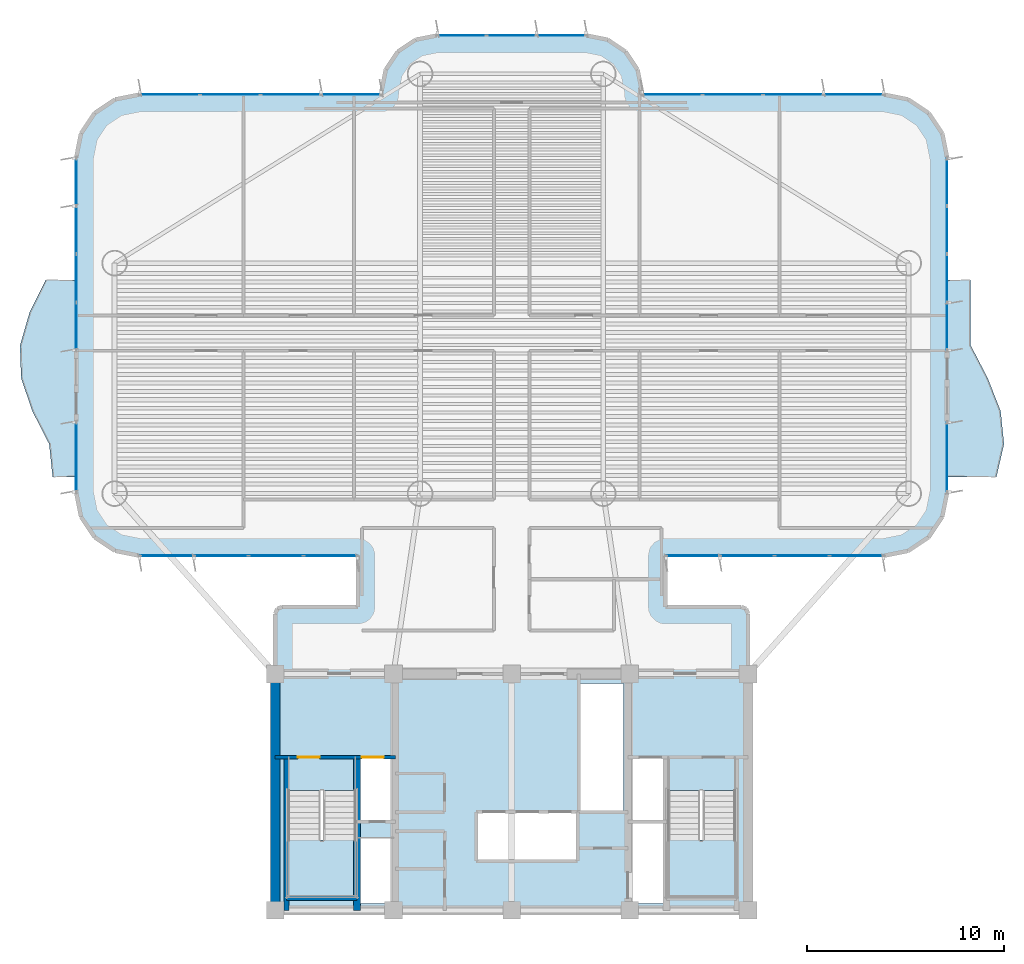
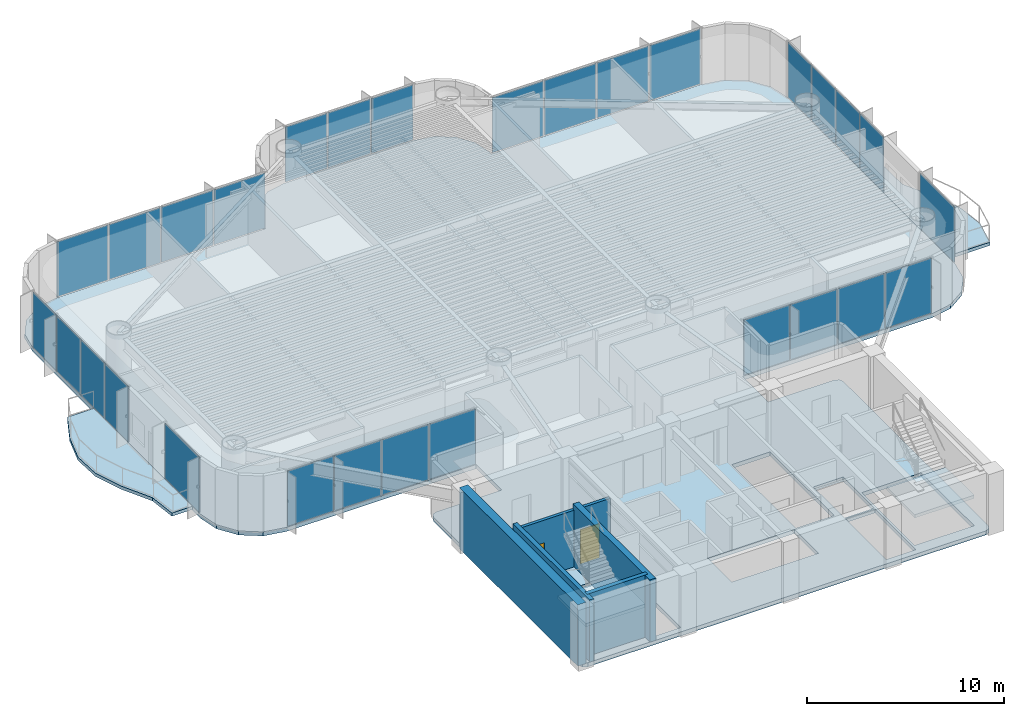
# One storey, part 8 of 16: 29 plates, 5 slabs, 5 walls, 2 doors, 2 openings, 11 elements without a shape of their own.
"""IFC4 building model written with IfcOpenShell, lengths in metres."""

from ifc_helpers import new_model, si_unit, direction, frame, frame_2d, origin, origin_2d, place, context, subcontext, project, spatial, polyline, rectangle, outline, extrude, source, transform, mapped, material, layer, layer_set, type_object, element, fill, aggregate, save


model = new_model("IFC4")

# Units and contexts
model_context = context("Model", 3, precision=1e-05, world=origin(), true_north=direction((0.0, 1.0)))
body_context = subcontext(model_context, "Body", "Model", "MODEL_VIEW")
ifc_project = project(units=[si_unit("LENGTHUNIT", "METRE"), si_unit("AREAUNIT", "SQUARE_METRE"), si_unit("VOLUMEUNIT", "CUBIC_METRE"), si_unit("PLANEANGLEUNIT", "RADIAN"), si_unit("MASSUNIT", "GRAM", prefix="KILO")], contexts=[model_context])

# Site, building, storey
site_placement = place(None, origin())
site = spatial("IfcSite", under=ifc_project, at=site_placement, CompositionType="ELEMENT")
building_placement = place(site_placement, origin())
building = spatial("IfcBuilding", under=site, at=building_placement, Name="Brelvock Crest Care Tower", CompositionType="ELEMENT")
storey_placement = place(building_placement, frame((0.0, 0.0, 120.06005859375)))
storey = spatial("IfcBuildingStorey", under=building, at=storey_placement, Name="L30", CompositionType="ELEMENT", Elevation=120.06005859375)

# Slabs
ifc_material_1 = material(Name="Concrete N50 (50 MPa)", Category="concrete")
ifc_layer_1 = layer(ifc_material_1, 0.25, Name="SLB-FL3")
ifc_layer_set_1 = layer_set([ifc_layer_1], Name="Concrete N50 (50 MPa)")
slab_type_1 = type_object("IfcSlabType", Name="SLB-FL3", PredefinedType="FLOOR", material=ifc_layer_set_1)
slab_1_placement = place(storey_placement, frame((0.0, 0.0, -0.25)))
element("IfcSlab", 1, at=slab_1_placement, inside=storey, type_object=slab_type_1, Name="L30 Main Structural Slab", PredefinedType="FLOOR", context=body_context, shape_type="SweptSolid", body=[
    extrude(outline(polyline([(47.64990234375, 21.39990234375), (43.800048828125, 21.39990234375), (43.800048828125, 24.0), (54.89990234375, 24.0), (56.12451171875, 24.24365234375), (57.16259765625, 24.937255859375), (57.8564453125, 25.975341796875), (58.10009765625, 27.199951171875), (58.10009765625, 44.199951171875), (57.8564453125, 45.424560546875), (57.16259765625, 46.462646484375), (56.12451171875, 47.156494140625), (54.89990234375, 47.39990234375), (42.60009765625, 47.39990234375), (42.60009765625, 47.60009765625), (42.386962890625, 48.67138671875), (41.77978515625, 49.579833984375), (40.87158203125, 50.18701171875), (39.800048828125, 50.39990234375), (32.199951171875, 50.39990234375), (31.12841796875, 50.18701171875), (30.22021484375, 49.579833984375), (29.613037109375, 48.67138671875), (29.39990234375, 47.60009765625), (29.39990234375, 47.39990234375), (17.10009765625, 47.39990234375), (15.87548828125, 47.156494140625), (14.83740234375, 46.462646484375), (14.1435546875, 45.424560546875), (13.89990234375, 44.199951171875), (13.89990234375, 27.199951171875), (14.1435546875, 25.975341796875), (14.83740234375, 24.937255859375), (15.87548828125, 24.24365234375), (17.10009765625, 24.0), (28.199951171875, 24.0), (28.199951171875, 21.39990234375), (24.35009765625, 21.39990234375), (24.1025390625, 21.297607421875), (24.0, 21.050048828125), (24.0, 6.35009765625), (24.1025390625, 6.1025390625), (24.35009765625, 6.0), (47.64990234375, 6.0), (47.8974609375, 6.1025390625), (48.0, 6.35009765625), (48.0, 21.050048828125), (47.8974609375, 21.297607421875), (47.64990234375, 21.39990234375)]), holes=[polyline([(28.239990234375, 10.580078125), (29.97998046875, 10.580078125), (29.97998046875, 13.739990234375), (28.239990234375, 13.739990234375), (28.239990234375, 10.580078125)]), polyline([(42.02001953125, 10.580078125), (43.760009765625, 10.580078125), (43.760009765625, 13.739990234375), (42.02001953125, 13.739990234375), (42.02001953125, 10.580078125)]), polyline([(28.239990234375, 6.340087890625), (29.97998046875, 6.340087890625), (29.97998046875, 9.64990234375), (28.239990234375, 9.64990234375), (28.239990234375, 6.340087890625)]), polyline([(24.6298828125, 12.080078125), (24.6298828125, 6.699951171875), (28.110107421875, 6.699951171875), (28.110107421875, 12.080078125), (24.6298828125, 12.080078125)]), polyline([(43.889892578125, 12.080078125), (43.889892578125, 6.699951171875), (47.3701171875, 6.699951171875), (47.3701171875, 12.080078125), (43.889892578125, 12.080078125)]), polyline([(42.02001953125, 6.340087890625), (43.760009765625, 6.340087890625), (43.760009765625, 10.5), (42.02001953125, 10.5), (42.02001953125, 6.340087890625)]), polyline([(34.22998046875, 8.530029296875), (39.320068359375, 8.530029296875), (39.320068359375, 10.969970703125), (34.22998046875, 10.969970703125), (34.22998046875, 8.530029296875)]), polyline([(39.429931640625, 11.030029296875), (41.669921875, 11.030029296875), (41.669921875, 17.52001953125), (39.429931640625, 17.52001953125), (39.429931640625, 11.030029296875)])]), origin(), (0.0, 0.0, 1.0), 0.25),
])
ifc_layer_2 = layer(ifc_material_1, 0.199951171875, Name="SLB-WB2")
ifc_layer_set_2 = layer_set([ifc_layer_2], Name="Concrete N50 (50 MPa)")
slab_type_2 = type_object("IfcSlabType", Name="SLB-WB2", PredefinedType="FLOOR", material=ifc_layer_set_2)
slab_2_placement = place(storey_placement, frame((0.0, 0.0, -0.199951171875)))
element("IfcSlab", 2, at=slab_2_placement, inside=storey, type_object=slab_type_2, Name="L30 W Sinusoidal Wave Balcony Slab", PredefinedType="FLOOR", context=body_context, shape_type="SweptSolid", body=[
    extrude(outline(polyline([(13.89990234375, 38.0), (12.35009765625, 38.0), (11.5283203125, 36.333251953125), (11.0458984375, 34.666748046875), (11.102783203125, 33.0), (11.675048828125, 31.333251953125), (12.526123046875, 29.666748046875), (12.699951171875, 28.0), (13.89990234375, 28.0), (13.89990234375, 38.0)])), origin(), (0.0, 0.0, 1.0), 0.199951171875),
])
slab_3_placement = place(storey_placement, frame((0.0, 0.0, -0.199951171875)))
element("IfcSlab", 3, at=slab_3_placement, inside=storey, type_object=slab_type_2, Name="L30 E Sinusoidal Wave Balcony Slab", PredefinedType="FLOOR", context=body_context, shape_type="SweptSolid", body=[
    extrude(outline(polyline([(58.10009765625, 28.0), (60.6044921875, 28.0), (60.988525390625, 29.666748046875), (60.819091796875, 31.333251953125), (60.16650390625, 33.0), (59.300537109375, 34.666748046875), (59.300048828125, 36.333251953125), (59.300048828125, 38.0), (58.10009765625, 38.0), (58.10009765625, 28.0)])), origin(), (0.0, 0.0, 1.0), 0.199951171875),
])

# Stair, slab
ifc_material_2 = material(Name="Concrete N40 (40 MPa)", Category="concrete")
stair_type = type_object("IfcStairType", Name="ST-CORE1", PredefinedType="HALF_TURN_STAIR", material=ifc_material_2)
stair_1_placement = place(storey_placement, origin())
stair_1 = element("IfcStair", 4, at=stair_1_placement, inside=storey, type_object=stair_type, Name="L30 Fire-Isolated Core Stair ST-1", PredefinedType="HALF_TURN_STAIR")
ifc_layer_3 = layer(ifc_material_2, 0.199951171875, Name="STL-1")
ifc_layer_set_3 = layer_set([ifc_layer_3], Name="Concrete N40 (40 MPa)")
slab_type_3 = type_object("IfcSlabType", Name="STL-1", PredefinedType="LANDING", material=ifc_layer_set_3)
slab_4_placement = place(storey_placement, frame((0.0, 0.0, 1.68994140625)))
slab_4 = element("IfcSlab", 5, at=slab_4_placement, type_object=slab_type_3, Name="ST-1 landing 1", PredefinedType="LANDING", context=body_context, shape_type="SweptSolid", body=[
    extrude(outline(polyline([(24.6298828125, 9.56005859375), (24.6298828125, 6.699951171875), (28.110107421875, 6.699951171875), (28.110107421875, 9.56005859375), (24.6298828125, 9.56005859375)])), origin(), (0.0, 0.0, 1.0), 0.199951171875),
])
aggregate(stair_1, [slab_4])

stair_2_placement = place(storey_placement, origin())
stair_2 = element("IfcStair", 6, at=stair_2_placement, inside=storey, type_object=stair_type, Name="L30 Fire-Isolated Core Stair ST-2", PredefinedType="HALF_TURN_STAIR")
slab_5_placement = place(storey_placement, frame((0.0, 0.0, 1.68994140625)))
slab_5 = element("IfcSlab", 7, at=slab_5_placement, type_object=slab_type_3, Name="ST-2 landing 1", PredefinedType="LANDING", context=body_context, shape_type="SweptSolid", body=[
    extrude(outline(polyline([(43.889892578125, 9.56005859375), (43.889892578125, 6.699951171875), (47.3701171875, 6.699951171875), (47.3701171875, 9.56005859375), (43.889892578125, 9.56005859375)])), origin(), (0.0, 0.0, 1.0), 0.199951171875),
])
aggregate(stair_2, [slab_5])

# Curtain wall, plates
ifc_material_3 = material(Name="Dark Glass Double Glazed Low-E", Category="glass")
ifc_layer_4 = layer(ifc_material_3, 0.2099609375, Name="CWS-3")
ifc_layer_set_4 = layer_set([ifc_layer_4], Name="Dark Glass Double Glazed Low-E")
curtain_wall_type = type_object("IfcCurtainWallType", Name="CWS-3", PredefinedType="NOTDEFINED", material=ifc_layer_set_4)
curtain_wall_1_placement = place(storey_placement, origin())
curtain_wall_1 = element("IfcCurtainWall", 8, at=curtain_wall_1_placement, inside=storey, type_object=curtain_wall_type, Name="L30 Curtain Wall E12", PredefinedType="NOTDEFINED")
ifc_layer_5 = layer(ifc_material_3, 0.031982421875, Name="CWP-V1")
ifc_layer_set_5 = layer_set([ifc_layer_5], Name="Dark Glass Double Glazed Low-E")
plate_type = type_object("IfcPlateType", Name="CWP-V1", PredefinedType="CURTAIN_PANEL", material=ifc_layer_set_5)
shared_shape_1 = source(origin(), body_context, "Body", "SweptSolid", [
    extrude(rectangle(XDim=2.68505859375, YDim=0.035888671875, at=origin_2d()), origin(), (0.0, 0.0, 1.0), 3.409912109375),
])
plate_1_placement = place(storey_placement, frame((26.797607421875, 24.0, 0.06005859375), z_axis=(0.0, 0.0, 1.0), x_axis=(-1.0, 0.0, 0.0)))
plate_1 = element("IfcPlate", 9, at=plate_1_placement, type_object=plate_type, Name="CW-3 panel 1.1", PredefinedType="CURTAIN_PANEL", context=body_context, shape_type="MappedRepresentation", body=[
    mapped(shared_shape_1, transform((0.0, 0.0, 0.0), x_axis=(1.0, 0.0, 0.0), y_axis=(0.0, 1.0, 0.0), z_axis=(0.0, 0.0, 1.0), scale=1.0)),
])
plate_2_placement = place(storey_placement, frame((18.50244140625, 24.0, 0.06005859375), z_axis=(0.0, 0.0, 1.0), x_axis=(-1.0, 0.0, 0.0)))
plate_2 = element("IfcPlate", 10, at=plate_2_placement, type_object=plate_type, Name="CW-3 panel 4.1", PredefinedType="CURTAIN_PANEL", context=body_context, shape_type="MappedRepresentation", body=[
    mapped(shared_shape_1, transform((0.0, 0.0, 0.0), x_axis=(1.0, 0.0, 0.0), y_axis=(0.0, 1.0, 0.0), z_axis=(0.0, 0.0, 1.0), scale=1.0)),
])

curtain_wall_2_placement = place(storey_placement, origin())
curtain_wall_2 = element("IfcCurtainWall", 11, at=curtain_wall_2_placement, inside=storey, type_object=curtain_wall_type, Name="L30 Curtain Wall E44", PredefinedType="NOTDEFINED")
plate_3_placement = place(storey_placement, frame((53.49755859375, 24.0, 0.06005859375), z_axis=(0.0, 0.0, 1.0), x_axis=(-1.0, 0.0, 0.0)))
plate_3 = element("IfcPlate", 12, at=plate_3_placement, type_object=plate_type, Name="CW-3 panel 1.1", PredefinedType="CURTAIN_PANEL", context=body_context, shape_type="MappedRepresentation", body=[
    mapped(shared_shape_1, transform((0.0, 0.0, 0.0), x_axis=(1.0, 0.0, 0.0), y_axis=(0.0, 1.0, 0.0), z_axis=(0.0, 0.0, 1.0), scale=1.0)),
])
plate_4_placement = place(storey_placement, frame((45.202392578125, 24.0, 0.06005859375), z_axis=(0.0, 0.0, 1.0), x_axis=(-1.0, 0.0, 0.0)))
plate_4 = element("IfcPlate", 13, at=plate_4_placement, type_object=plate_type, Name="CW-3 panel 4.1", PredefinedType="CURTAIN_PANEL", context=body_context, shape_type="MappedRepresentation", body=[
    mapped(shared_shape_1, transform((0.0, 0.0, 0.0), x_axis=(1.0, 0.0, 0.0), y_axis=(0.0, 1.0, 0.0), z_axis=(0.0, 0.0, 1.0), scale=1.0)),
])

# Plate
shared_shape_2 = source(origin(), body_context, "Body", "SweptSolid", [
    extrude(rectangle(XDim=2.715087890625, YDim=0.035888671875, at=origin_2d()), origin(), (0.0, 0.0, 1.0), 3.409912109375),
])
plate_5_placement = place(storey_placement, frame((24.03759765625, 24.0, 0.06005859375), z_axis=(0.0, 0.0, 1.0), x_axis=(-1.0, 0.0, 0.0)))
plate_5 = element("IfcPlate", 14, at=plate_5_placement, type_object=plate_type, Name="CW-3 panel 2.1", PredefinedType="CURTAIN_PANEL", context=body_context, shape_type="MappedRepresentation", body=[
    mapped(shared_shape_2, transform((0.0, 0.0, 0.0), x_axis=(1.0, 0.0, 0.0), y_axis=(0.0, 1.0, 0.0), z_axis=(0.0, 0.0, 1.0), scale=1.0)),
])

plate_6_placement = place(storey_placement, frame((21.262451171875, 24.0, 0.06005859375), z_axis=(0.0, 0.0, 1.0), x_axis=(-1.0, 0.0, 0.0)))
plate_6 = element("IfcPlate", 15, at=plate_6_placement, type_object=plate_type, Name="CW-3 panel 3.1", PredefinedType="CURTAIN_PANEL", context=body_context, shape_type="MappedRepresentation", body=[
    mapped(shared_shape_2, transform((0.0, 0.0, 0.0), x_axis=(1.0, 0.0, 0.0), y_axis=(0.0, 1.0, 0.0), z_axis=(0.0, 0.0, 1.0), scale=1.0)),
])

aggregate(curtain_wall_1, [plate_1, plate_5, plate_6, plate_2])

plate_7_placement = place(storey_placement, frame((50.737548828125, 24.0, 0.06005859375), z_axis=(0.0, 0.0, 1.0), x_axis=(-1.0, 0.0, 0.0)))
plate_7 = element("IfcPlate", 16, at=plate_7_placement, type_object=plate_type, Name="CW-3 panel 2.1", PredefinedType="CURTAIN_PANEL", context=body_context, shape_type="MappedRepresentation", body=[
    mapped(shared_shape_2, transform((0.0, 0.0, 0.0), x_axis=(1.0, 0.0, 0.0), y_axis=(0.0, 1.0, 0.0), z_axis=(0.0, 0.0, 1.0), scale=1.0)),
])

plate_8_placement = place(storey_placement, frame((47.96240234375, 24.0, 0.06005859375), z_axis=(0.0, 0.0, 1.0), x_axis=(-1.0, 0.0, 0.0)))
plate_8 = element("IfcPlate", 17, at=plate_8_placement, type_object=plate_type, Name="CW-3 panel 3.1", PredefinedType="CURTAIN_PANEL", context=body_context, shape_type="MappedRepresentation", body=[
    mapped(shared_shape_2, transform((0.0, 0.0, 0.0), x_axis=(1.0, 0.0, 0.0), y_axis=(0.0, 1.0, 0.0), z_axis=(0.0, 0.0, 1.0), scale=1.0)),
])

aggregate(curtain_wall_2, [plate_3, plate_7, plate_8, plate_4])

# Curtain wall, plates
curtain_wall_3_placement = place(storey_placement, origin())
curtain_wall_3 = element("IfcCurtainWall", 18, at=curtain_wall_3_placement, inside=storey, type_object=curtain_wall_type, Name="L30 Curtain Wall E22", PredefinedType="NOTDEFINED")
shared_shape_3 = source(origin(), body_context, "Body", "SweptSolid", [
    extrude(rectangle(XDim=2.985107421875, YDim=0.035888671875, at=origin_2d()), origin(), (0.0, 0.0, 1.0), 3.409912109375),
])
plate_9_placement = place(storey_placement, frame((18.652587890625, 47.39990234375, 0.06005859375), z_axis=(0.0, 0.0, 1.0), x_axis=(1.0, 0.0, 0.0)))
plate_9 = element("IfcPlate", 19, at=plate_9_placement, type_object=plate_type, Name="CW-3 panel 1.1", PredefinedType="CURTAIN_PANEL", context=body_context, shape_type="MappedRepresentation", body=[
    mapped(shared_shape_3, transform((0.0, 0.0, 0.0), x_axis=(1.0, 0.0, 0.0), y_axis=(0.0, 1.0, 0.0), z_axis=(0.0, 0.0, 1.0), scale=1.0)),
])
plate_10_placement = place(storey_placement, frame((27.847412109375, 47.39990234375, 0.06005859375), z_axis=(0.0, 0.0, 1.0), x_axis=(1.0, 0.0, 0.0)))
plate_10 = element("IfcPlate", 20, at=plate_10_placement, type_object=plate_type, Name="CW-3 panel 4.1", PredefinedType="CURTAIN_PANEL", context=body_context, shape_type="MappedRepresentation", body=[
    mapped(shared_shape_3, transform((0.0, 0.0, 0.0), x_axis=(1.0, 0.0, 0.0), y_axis=(0.0, 1.0, 0.0), z_axis=(0.0, 0.0, 1.0), scale=1.0)),
])

curtain_wall_4_placement = place(storey_placement, origin())
curtain_wall_4 = element("IfcCurtainWall", 21, at=curtain_wall_4_placement, inside=storey, type_object=curtain_wall_type, Name="L30 Curtain Wall E34", PredefinedType="NOTDEFINED")
plate_11_placement = place(storey_placement, frame((44.152587890625, 47.39990234375, 0.06005859375), z_axis=(0.0, 0.0, 1.0), x_axis=(1.0, 0.0, 0.0)))
plate_11 = element("IfcPlate", 22, at=plate_11_placement, type_object=plate_type, Name="CW-3 panel 1.1", PredefinedType="CURTAIN_PANEL", context=body_context, shape_type="MappedRepresentation", body=[
    mapped(shared_shape_3, transform((0.0, 0.0, 0.0), x_axis=(1.0, 0.0, 0.0), y_axis=(0.0, 1.0, 0.0), z_axis=(0.0, 0.0, 1.0), scale=1.0)),
])
plate_12_placement = place(storey_placement, frame((53.347412109375, 47.39990234375, 0.06005859375), z_axis=(0.0, 0.0, 1.0), x_axis=(1.0, 0.0, 0.0)))
plate_12 = element("IfcPlate", 23, at=plate_12_placement, type_object=plate_type, Name="CW-3 panel 4.1", PredefinedType="CURTAIN_PANEL", context=body_context, shape_type="MappedRepresentation", body=[
    mapped(shared_shape_3, transform((0.0, 0.0, 0.0), x_axis=(1.0, 0.0, 0.0), y_axis=(0.0, 1.0, 0.0), z_axis=(0.0, 0.0, 1.0), scale=1.0)),
])

# Plate
shared_shape_4 = source(origin(), body_context, "Body", "SweptSolid", [
    extrude(rectangle(XDim=3.014892578125, YDim=0.035888671875, at=origin_2d()), origin(), (0.0, 0.0, 1.0), 3.409912109375),
])
plate_13_placement = place(storey_placement, frame((21.71240234375, 47.39990234375, 0.06005859375), z_axis=(0.0, 0.0, 1.0), x_axis=(1.0, 0.0, 0.0)))
plate_13 = element("IfcPlate", 24, at=plate_13_placement, type_object=plate_type, Name="CW-3 panel 2.1", PredefinedType="CURTAIN_PANEL", context=body_context, shape_type="MappedRepresentation", body=[
    mapped(shared_shape_4, transform((0.0, 0.0, 0.0), x_axis=(1.0, 0.0, 0.0), y_axis=(0.0, 1.0, 0.0), z_axis=(0.0, 0.0, 1.0), scale=1.0)),
])

plate_14_placement = place(storey_placement, frame((24.78759765625, 47.39990234375, 0.06005859375), z_axis=(0.0, 0.0, 1.0), x_axis=(1.0, 0.0, 0.0)))
plate_14 = element("IfcPlate", 25, at=plate_14_placement, type_object=plate_type, Name="CW-3 panel 3.1", PredefinedType="CURTAIN_PANEL", context=body_context, shape_type="MappedRepresentation", body=[
    mapped(shared_shape_4, transform((0.0, 0.0, 0.0), x_axis=(1.0, 0.0, 0.0), y_axis=(0.0, 1.0, 0.0), z_axis=(0.0, 0.0, 1.0), scale=1.0)),
])

aggregate(curtain_wall_3, [plate_9, plate_13, plate_14, plate_10])

plate_15_placement = place(storey_placement, frame((47.21240234375, 47.39990234375, 0.06005859375), z_axis=(0.0, 0.0, 1.0), x_axis=(1.0, 0.0, 0.0)))
plate_15 = element("IfcPlate", 26, at=plate_15_placement, type_object=plate_type, Name="CW-3 panel 2.1", PredefinedType="CURTAIN_PANEL", context=body_context, shape_type="MappedRepresentation", body=[
    mapped(shared_shape_4, transform((0.0, 0.0, 0.0), x_axis=(1.0, 0.0, 0.0), y_axis=(0.0, 1.0, 0.0), z_axis=(0.0, 0.0, 1.0), scale=1.0)),
])

plate_16_placement = place(storey_placement, frame((50.28759765625, 47.39990234375, 0.06005859375), z_axis=(0.0, 0.0, 1.0), x_axis=(1.0, 0.0, 0.0)))
plate_16 = element("IfcPlate", 27, at=plate_16_placement, type_object=plate_type, Name="CW-3 panel 3.1", PredefinedType="CURTAIN_PANEL", context=body_context, shape_type="MappedRepresentation", body=[
    mapped(shared_shape_4, transform((0.0, 0.0, 0.0), x_axis=(1.0, 0.0, 0.0), y_axis=(0.0, 1.0, 0.0), z_axis=(0.0, 0.0, 1.0), scale=1.0)),
])

aggregate(curtain_wall_4, [plate_11, plate_15, plate_16, plate_12])

# Curtain wall, plates
curtain_wall_5_placement = place(storey_placement, origin())
curtain_wall_5 = element("IfcCurtainWall", 28, at=curtain_wall_5_placement, inside=storey, type_object=curtain_wall_type, Name="L30 Curtain Wall E28", PredefinedType="NOTDEFINED")
shared_shape_5 = source(origin(), body_context, "Body", "SweptSolid", [
    extrude(rectangle(XDim=2.443359375, YDim=0.035888671875, at=origin_2d()), origin(), (0.0, 0.0, 1.0), 3.409912109375),
])
plate_17_placement = place(storey_placement, frame((33.481689453125, 50.39990234375, 0.06005859375), z_axis=(0.0, 0.0, 1.0), x_axis=(1.0, 0.0, 0.0)))
plate_17 = element("IfcPlate", 29, at=plate_17_placement, type_object=plate_type, Name="CW-3 panel 1.1", PredefinedType="CURTAIN_PANEL", context=body_context, shape_type="MappedRepresentation", body=[
    mapped(shared_shape_5, transform((0.0, 0.0, 0.0), x_axis=(1.0, 0.0, 0.0), y_axis=(0.0, 1.0, 0.0), z_axis=(0.0, 0.0, 1.0), scale=1.0)),
])
plate_18_placement = place(storey_placement, frame((38.518310546875, 50.39990234375, 0.06005859375), z_axis=(0.0, 0.0, 1.0), x_axis=(1.0, 0.0, 0.0)))
plate_18 = element("IfcPlate", 30, at=plate_18_placement, type_object=plate_type, Name="CW-3 panel 3.1", PredefinedType="CURTAIN_PANEL", context=body_context, shape_type="MappedRepresentation", body=[
    mapped(shared_shape_5, transform((0.0, 0.0, 0.0), x_axis=(1.0, 0.0, 0.0), y_axis=(0.0, 1.0, 0.0), z_axis=(0.0, 0.0, 1.0), scale=1.0)),
])
shared_shape_6 = source(origin(), body_context, "Body", "SweptSolid", [
    extrude(rectangle(XDim=2.473388671875, YDim=0.035888671875, at=origin_2d()), origin(), (0.0, 0.0, 1.0), 3.409912109375),
])
plate_19_placement = place(storey_placement, frame((36.0, 50.39990234375, 0.06005859375), z_axis=(0.0, 0.0, 1.0), x_axis=(1.0, 0.0, 0.0)))
plate_19 = element("IfcPlate", 31, at=plate_19_placement, type_object=plate_type, Name="CW-3 panel 2.1", PredefinedType="CURTAIN_PANEL", context=body_context, shape_type="MappedRepresentation", body=[
    mapped(shared_shape_6, transform((0.0, 0.0, 0.0), x_axis=(1.0, 0.0, 0.0), y_axis=(0.0, 1.0, 0.0), z_axis=(0.0, 0.0, 1.0), scale=1.0)),
])
aggregate(curtain_wall_5, [plate_17, plate_19, plate_18])

# Curtain wall, plate
curtain_wall_6_placement = place(storey_placement, origin())
curtain_wall_6 = element("IfcCurtainWall", 32, at=curtain_wall_6_placement, inside=storey, type_object=curtain_wall_type, Name="L30 Curtain Wall E17A", PredefinedType="NOTDEFINED")
shared_shape_7 = source(origin(), body_context, "Body", "SweptSolid", [
    extrude(rectangle(XDim=3.47998046875, YDim=0.035888671875, at=origin_2d()), origin(), (0.0, 0.0, 1.0), 3.409912109375),
])
plate_20_placement = place(storey_placement, frame((13.89990234375, 29.0, 0.06005859375), z_axis=(0.0, 0.0, 1.0), x_axis=(0.0, 1.0, 0.0)))
plate_20 = element("IfcPlate", 33, at=plate_20_placement, type_object=plate_type, Name="CW-3 panel 1.1", PredefinedType="CURTAIN_PANEL", context=body_context, shape_type="MappedRepresentation", body=[
    mapped(shared_shape_7, transform((0.0, 0.0, 0.0), x_axis=(1.0, 0.0, 0.0), y_axis=(0.0, 1.0, 0.0), z_axis=(0.0, 0.0, 1.0), scale=1.0)),
])
aggregate(curtain_wall_6, [plate_20])

curtain_wall_7_placement = place(storey_placement, origin())
curtain_wall_7 = element("IfcCurtainWall", 34, at=curtain_wall_7_placement, inside=storey, type_object=curtain_wall_type, Name="L30 Curtain Wall E39B", PredefinedType="NOTDEFINED")
plate_21_placement = place(storey_placement, frame((58.10009765625, 29.0, 0.06005859375), z_axis=(0.0, 0.0, 1.0), x_axis=(0.0, -1.0, 0.0)))
plate_21 = element("IfcPlate", 35, at=plate_21_placement, type_object=plate_type, Name="CW-3 panel 1.1", PredefinedType="CURTAIN_PANEL", context=body_context, shape_type="MappedRepresentation", body=[
    mapped(shared_shape_7, transform((0.0, 0.0, 0.0), x_axis=(1.0, 0.0, 0.0), y_axis=(0.0, 1.0, 0.0), z_axis=(0.0, 0.0, 1.0), scale=1.0)),
])
aggregate(curtain_wall_7, [plate_21])

# Curtain wall, plates
curtain_wall_8_placement = place(storey_placement, origin())
curtain_wall_8 = element("IfcCurtainWall", 36, at=curtain_wall_8_placement, inside=storey, type_object=curtain_wall_type, Name="L30 Curtain Wall E17B", PredefinedType="NOTDEFINED")
shared_shape_8 = source(origin(), body_context, "Body", "SweptSolid", [
    extrude(rectangle(XDim=2.360107421875, YDim=0.035888671875, at=origin_2d()), origin(), (0.0, 0.0, 1.0), 3.409912109375),
])
plate_22_placement = place(storey_placement, frame((13.89990234375, 35.639892578125, 0.06005859375), z_axis=(0.0, 0.0, 1.0), x_axis=(0.0, 1.0, 0.0)))
plate_22 = element("IfcPlate", 37, at=plate_22_placement, type_object=plate_type, Name="CW-3 panel 1.1", PredefinedType="CURTAIN_PANEL", context=body_context, shape_type="MappedRepresentation", body=[
    mapped(shared_shape_8, transform((0.0, 0.0, 0.0), x_axis=(1.0, 0.0, 0.0), y_axis=(0.0, 1.0, 0.0), z_axis=(0.0, 0.0, 1.0), scale=1.0)),
])
plate_23_placement = place(storey_placement, frame((13.89990234375, 42.9599609375, 0.06005859375), z_axis=(0.0, 0.0, 1.0), x_axis=(0.0, 1.0, 0.0)))
plate_23 = element("IfcPlate", 38, at=plate_23_placement, type_object=plate_type, Name="CW-3 panel 4.1", PredefinedType="CURTAIN_PANEL", context=body_context, shape_type="MappedRepresentation", body=[
    mapped(shared_shape_8, transform((0.0, 0.0, 0.0), x_axis=(1.0, 0.0, 0.0), y_axis=(0.0, 1.0, 0.0), z_axis=(0.0, 0.0, 1.0), scale=1.0)),
])

curtain_wall_9_placement = place(storey_placement, origin())
curtain_wall_9 = element("IfcCurtainWall", 39, at=curtain_wall_9_placement, inside=storey, type_object=curtain_wall_type, Name="L30 Curtain Wall E39A", PredefinedType="NOTDEFINED")
plate_24_placement = place(storey_placement, frame((58.10009765625, 42.9599609375, 0.06005859375), z_axis=(0.0, 0.0, 1.0), x_axis=(0.0, -1.0, 0.0)))
plate_24 = element("IfcPlate", 40, at=plate_24_placement, type_object=plate_type, Name="CW-3 panel 1.1", PredefinedType="CURTAIN_PANEL", context=body_context, shape_type="MappedRepresentation", body=[
    mapped(shared_shape_8, transform((0.0, 0.0, 0.0), x_axis=(1.0, 0.0, 0.0), y_axis=(0.0, 1.0, 0.0), z_axis=(0.0, 0.0, 1.0), scale=1.0)),
])
plate_25_placement = place(storey_placement, frame((58.10009765625, 35.639892578125, 0.06005859375), z_axis=(0.0, 0.0, 1.0), x_axis=(0.0, -1.0, 0.0)))
plate_25 = element("IfcPlate", 41, at=plate_25_placement, type_object=plate_type, Name="CW-3 panel 4.1", PredefinedType="CURTAIN_PANEL", context=body_context, shape_type="MappedRepresentation", body=[
    mapped(shared_shape_8, transform((0.0, 0.0, 0.0), x_axis=(1.0, 0.0, 0.0), y_axis=(0.0, 1.0, 0.0), z_axis=(0.0, 0.0, 1.0), scale=1.0)),
])

# Plate
shared_shape_9 = source(origin(), body_context, "Body", "SweptSolid", [
    extrude(rectangle(XDim=2.389892578125, YDim=0.035888671875, at=origin_2d()), origin(), (0.0, 0.0, 1.0), 3.409912109375),
])
plate_26_placement = place(storey_placement, frame((13.89990234375, 38.074951171875, 0.06005859375), z_axis=(0.0, 0.0, 1.0), x_axis=(0.0, 1.0, 0.0)))
plate_26 = element("IfcPlate", 42, at=plate_26_placement, type_object=plate_type, Name="CW-3 panel 2.1", PredefinedType="CURTAIN_PANEL", context=body_context, shape_type="MappedRepresentation", body=[
    mapped(shared_shape_9, transform((0.0, 0.0, 0.0), x_axis=(1.0, 0.0, 0.0), y_axis=(0.0, 1.0, 0.0), z_axis=(0.0, 0.0, 1.0), scale=1.0)),
])

plate_27_placement = place(storey_placement, frame((13.89990234375, 40.52490234375, 0.06005859375), z_axis=(0.0, 0.0, 1.0), x_axis=(0.0, 1.0, 0.0)))
plate_27 = element("IfcPlate", 43, at=plate_27_placement, type_object=plate_type, Name="CW-3 panel 3.1", PredefinedType="CURTAIN_PANEL", context=body_context, shape_type="MappedRepresentation", body=[
    mapped(shared_shape_9, transform((0.0, 0.0, 0.0), x_axis=(1.0, 0.0, 0.0), y_axis=(0.0, 1.0, 0.0), z_axis=(0.0, 0.0, 1.0), scale=1.0)),
])

aggregate(curtain_wall_8, [plate_22, plate_26, plate_27, plate_23])

plate_28_placement = place(storey_placement, frame((58.10009765625, 40.52490234375, 0.06005859375), z_axis=(0.0, 0.0, 1.0), x_axis=(0.0, -1.0, 0.0)))
plate_28 = element("IfcPlate", 44, at=plate_28_placement, type_object=plate_type, Name="CW-3 panel 2.1", PredefinedType="CURTAIN_PANEL", context=body_context, shape_type="MappedRepresentation", body=[
    mapped(shared_shape_9, transform((0.0, 0.0, 0.0), x_axis=(1.0, 0.0, 0.0), y_axis=(0.0, 1.0, 0.0), z_axis=(0.0, 0.0, 1.0), scale=1.0)),
])

plate_29_placement = place(storey_placement, frame((58.10009765625, 38.074951171875, 0.06005859375), z_axis=(0.0, 0.0, 1.0), x_axis=(0.0, -1.0, 0.0)))
plate_29 = element("IfcPlate", 45, at=plate_29_placement, type_object=plate_type, Name="CW-3 panel 3.1", PredefinedType="CURTAIN_PANEL", context=body_context, shape_type="MappedRepresentation", body=[
    mapped(shared_shape_9, transform((0.0, 0.0, 0.0), x_axis=(1.0, 0.0, 0.0), y_axis=(0.0, 1.0, 0.0), z_axis=(0.0, 0.0, 1.0), scale=1.0)),
])

aggregate(curtain_wall_9, [plate_24, plate_28, plate_29, plate_25])

# Walls
ifc_material_4 = material(Name="Concrete S80 (80 MPa)", Category="concrete")
ifc_layer_6 = layer(ifc_material_4, 0.5, Name="WL-CS2")
ifc_layer_set_6 = layer_set([ifc_layer_6], Name="Concrete S80 (80 MPa)")
wall_type_1 = type_object("IfcWallType", Name="WL-CS2", PredefinedType="SHEAR", material=ifc_layer_set_6)
wall_1_placement = place(storey_placement, frame((24.0, 6.0, 0.0), z_axis=(0.0, 0.0, 1.0), x_axis=(0.0, 1.0, 0.0)))
element("IfcWall", 46, at=wall_1_placement, inside=storey, type_object=wall_type_1, Name="L30 Core West Shear Wall", PredefinedType="SHEAR", context=body_context, shape_type="SweptSolid", body=[
    extrude(rectangle(XDim=12.0, YDim=0.5, at=frame_2d((6.0, 0.0))), origin(), (0.0, 0.0, 1.0), 3.780029296875),
])
ifc_layer_7 = layer(ifc_material_4, 0.35009765625, Name="WL-CS5")
ifc_layer_set_7 = layer_set([ifc_layer_7], Name="Concrete S80 (80 MPa)")
wall_type_2 = type_object("IfcWallType", Name="WL-CS5", PredefinedType="SHEAR", material=ifc_layer_set_7)
wall_2_placement = place(storey_placement, frame((28.14990234375, 6.0, 0.0), z_axis=(0.0, 0.0, 1.0), x_axis=(0.0, 1.0, 0.0)))
element("IfcWall", 47, at=wall_2_placement, inside=storey, type_object=wall_type_2, Name="L30 Core Stair ST-1 East Shear Wall", PredefinedType="SHEAR", context=body_context, shape_type="SweptSolid", body=[
    extrude(rectangle(XDim=7.780029296875, YDim=0.35009765625, at=frame_2d((3.89013671875, 0.0))), origin(), (0.0, 0.0, 1.0), 3.849853515625),
])
ifc_layer_8 = layer(ifc_material_4, 0.25, Name="WL-CS6")
ifc_layer_set_8 = layer_set([ifc_layer_8], Name="Concrete S80 (80 MPa)")
wall_type_3 = type_object("IfcWallType", Name="WL-CS6", PredefinedType="SHEAR", material=ifc_layer_set_8)
wall_3_placement = place(storey_placement, frame((24.580078125, 6.0, 0.0), z_axis=(0.0, 0.0, 1.0), x_axis=(0.0, 1.0, 0.0)))
element("IfcWall", 48, at=wall_3_placement, inside=storey, type_object=wall_type_3, Name="L30 Core Stair ST-1 West Shear Wall", PredefinedType="SHEAR", context=body_context, shape_type="SweptSolid", body=[
    extrude(rectangle(XDim=7.780029296875, YDim=0.25, at=frame_2d((3.89013671875, 0.0))), origin(), (0.0, 0.0, 1.0), 3.849853515625),
])
wall_4_placement = place(storey_placement, frame((24.580078125, 6.6201171875, 0.0), z_axis=(0.0, 0.0, 1.0), x_axis=(1.0, 0.0, 0.0)))
element("IfcWall", 49, at=wall_4_placement, inside=storey, type_object=wall_type_3, Name="L30 Core Stair ST-1 South Shear Wall", PredefinedType="SHEAR", context=body_context, shape_type="SweptSolid", body=[
    extrude(rectangle(XDim=3.56982421875, YDim=0.25, at=frame_2d((1.784912109375, 0.0))), origin(), (0.0, 0.0, 1.0), 3.849853515625),
])

# Wall, openings, doors
ifc_material_5 = material(Name="Masonry Blockwork Acoustic Partition", Category="masonry")
ifc_layer_9 = layer(ifc_material_5, 0.179931640625, Name="WL-SHF1")
ifc_layer_set_9 = layer_set([ifc_layer_9], Name="Masonry Blockwork Acoustic Partition")
wall_type_4 = type_object("IfcWallType", Name="WL-SHF1", PredefinedType="PARTITIONING", material=ifc_layer_set_9)
wall_5_placement = place(storey_placement, frame((24.0, 13.780029296875, 0.0), z_axis=(0.0, 0.0, 1.0), x_axis=(1.0, 0.0, 0.0)))
wall_5 = element("IfcWall", 50, at=wall_5_placement, inside=storey, type_object=wall_type_4, Name="L30 Interior Wall WL-ST1-N-L30", PredefinedType="PARTITIONING", context=body_context, shape_type="SweptSolid", body=[
    extrude(rectangle(XDim=6.10009765625, YDim=0.179931640625, at=frame_2d((3.050048828125, 0.0))), origin(), (0.0, 0.0, 1.0), 3.5),
])
opening_1_placement = place(wall_5_placement, frame((1.14990234375, 0.0, 0.0)))
opening_1 = element("IfcOpeningElement", 51, at=opening_1_placement, cuts=wall_5, Name="Opening SD-1", PredefinedType="OPENING", context=body_context, shape_type="SweptSolid", body=[
    extrude(rectangle(XDim=1.10009765625, YDim=2.10009765625, at=origin_2d()), frame((0.550048828125, 0.10009765625, 1.050048828125), z_axis=(0.0, -1.0, 0.0), x_axis=(1.0, 0.0, 0.0)), (0.0, 0.0, 1.0), 0.199951171875),
])
opening_2_placement = place(wall_5_placement, frame((4.39990234375, 0.0, 0.0)))
opening_2 = element("IfcOpeningElement", 52, at=opening_2_placement, cuts=wall_5, Name="Opening LD", PredefinedType="OPENING", context=body_context, shape_type="SweptSolid", body=[
    extrude(rectangle(XDim=1.10009765625, YDim=2.10009765625, at=origin_2d()), frame((0.550048828125, 0.10009765625, 1.050048828125), z_axis=(0.0, -1.0, 0.0), x_axis=(1.0, 0.0, 0.0)), (0.0, 0.0, 1.0), 0.199951171875),
])
ifc_material_6 = material(Name="Steel Grade 350", Category="steel")
door_type_1 = type_object("IfcDoorType", Name="DR-ST1", OperationType="NOTDEFINED", PredefinedType="DOOR", material=ifc_material_6)
shared_shape_10 = source(origin(), body_context, "Body", "SweptSolid", [
    extrude(rectangle(XDim=1.10009765625, YDim=2.10009765625, at=origin_2d()), frame((0.550048828125, 0.02490234375, 1.050048828125), z_axis=(0.0, -1.0, 0.0), x_axis=(1.0, 0.0, 0.0)), (0.0, 0.0, 1.0), 0.050048828125),
])
door_1_placement = place(opening_1_placement, origin())
door_1 = element("IfcDoor", 53, at=door_1_placement, inside=storey, type_object=door_type_1, Name="L30 Fire Stair ST-1 Door", OperationType="SINGLE_SWING_LEFT", OverallHeight=2.10009765625, OverallWidth=1.10009765625, PredefinedType="DOOR", context=body_context, shape_type="MappedRepresentation", body=[
    mapped(shared_shape_10, transform((0.0, 0.0, 0.0), x_axis=(1.0, 0.0, 0.0), y_axis=(0.0, 1.0, 0.0), z_axis=(0.0, 0.0, 1.0), scale=1.0)),
])
fill(opening_1, door_1)
door_type_2 = type_object("IfcDoorType", Name="DR-LD1", OperationType="NOTDEFINED", PredefinedType="DOOR", material=ifc_material_6)
shared_shape_11 = source(origin(), body_context, "Body", "SweptSolid", [
    extrude(rectangle(XDim=1.10009765625, YDim=2.10009765625, at=origin_2d()), frame((0.550048828125, 0.02490234375, 1.050048828125), z_axis=(0.0, -1.0, 0.0), x_axis=(1.0, 0.0, 0.0)), (0.0, 0.0, 1.0), 0.050048828125),
])
door_2_placement = place(opening_2_placement, origin())
door_2 = element("IfcDoor", 54, at=door_2_placement, inside=storey, type_object=door_type_2, Name="L30 Firefighting Lift FFL-1 Landing Door", OperationType="SLIDING_TO_LEFT", OverallHeight=2.10009765625, OverallWidth=1.10009765625, PredefinedType="DOOR", context=body_context, shape_type="MappedRepresentation", body=[
    mapped(shared_shape_11, transform((0.0, 0.0, 0.0), x_axis=(1.0, 0.0, 0.0), y_axis=(0.0, 1.0, 0.0), z_axis=(0.0, 0.0, 1.0), scale=1.0)),
])
fill(opening_2, door_2)

save(model, "model.ifc")
